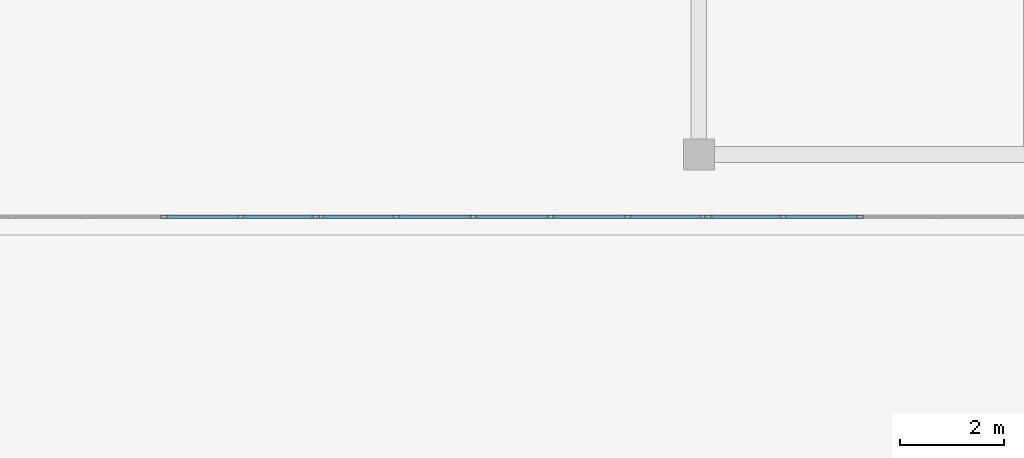
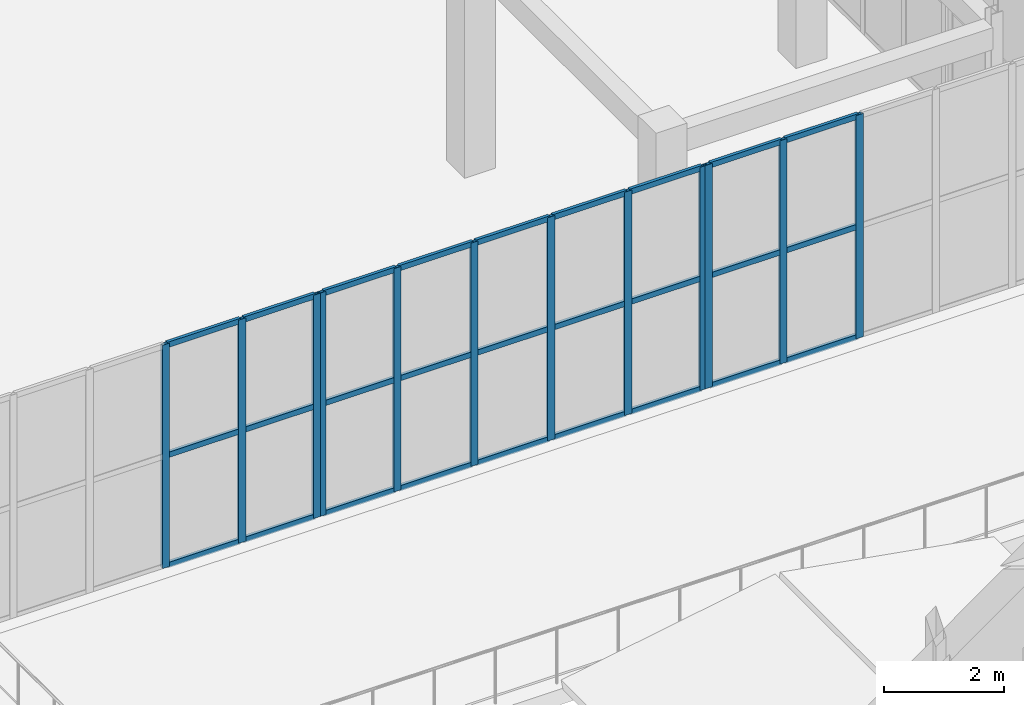
# One storey, part 47 of 158: 39 members, 3 elements without a shape of their own.
"""IFC4 building model written with IfcOpenShell, lengths in metres."""

from ifc_helpers import new_model, si_unit, direction, frame, origin, origin_2d, place, context, subcontext, project, spatial, hollow_rectangle, extrude, material, layer, layer_set, material_profile, profile_set, type_object, element, aggregate, save


model = new_model("IFC4")

# Units and contexts
model_context = context("Model", 3, precision=1e-05, world=origin(), true_north=direction((0.0, 1.0)))
body_context = subcontext(model_context, "Body", "Model", "MODEL_VIEW")
ifc_project = project(units=[si_unit("LENGTHUNIT", "METRE"), si_unit("AREAUNIT", "SQUARE_METRE"), si_unit("VOLUMEUNIT", "CUBIC_METRE"), si_unit("PLANEANGLEUNIT", "RADIAN"), si_unit("MASSUNIT", "GRAM", prefix="KILO")], contexts=[model_context])

# Site, building, storey
site_placement = place(None, origin())
site = spatial("IfcSite", under=ifc_project, at=site_placement, CompositionType="ELEMENT")
building_placement = place(site_placement, origin())
building = spatial("IfcBuilding", under=site, at=building_placement, Name="Trelvath General Hospital", CompositionType="ELEMENT")
storey_placement = place(building_placement, frame((0.0, 0.0, 8.10009765625)))
storey = spatial("IfcBuildingStorey", under=building, at=storey_placement, Name="L02", CompositionType="ELEMENT", Elevation=8.10009765625)

# Curtain wall, members
ifc_material_1 = material(Name="Anodised aluminium and low-E glass", Category="aluminium")
ifc_layer_1 = layer(ifc_material_1, 0.139892578125)
ifc_layer_set_1 = layer_set([ifc_layer_1], Name="Anodised aluminium and low-E glass")
curtain_wall_type_1 = type_object("IfcCurtainWallType", Name="CW CrystalCube 737 456 14", PredefinedType="USERDEFINED", material=ifc_layer_set_1)
curtain_wall_1_placement = place(storey_placement, origin())
curtain_wall_1 = element("IfcCurtainWall", 1, at=curtain_wall_1_placement, inside=storey, type_object=curtain_wall_type_1, Name="Crystal Cube Curtain Wall CUBE-E-T1 S1 L02", ObjectType="Unitised Glazed Curtain Wall", PredefinedType="USERDEFINED")
ifc_material_2 = material(Name="Anodised aluminium", Category="aluminium")
ifc_material_profile_1 = material_profile(ifc_material_2, hollow_rectangle(XDim=0.06005859375, YDim=0.139892578125, WallThickness=0.00390625, at=origin_2d()), Name="RHS60x140x4")
ifc_profile_set_1 = profile_set([ifc_material_profile_1], Name="Anodised aluminium")
member_type_1 = type_object("IfcMemberType", Name="CurtainMullion 60x140", PredefinedType="MULLION", material=ifc_profile_set_1)
member_1_placement = place(storey_placement, frame((99.816650390625, 37.199951171875, 0.0), z_axis=(0.0, 0.0, 1.0), x_axis=(0.0, -1.0, 0.0)))
member_1 = element("IfcMember", 2, at=member_1_placement, type_object=member_type_1, Name="CW-205 mullion 1", PredefinedType="MULLION", context=body_context, shape_type="SweptSolid", body=[
    extrude(hollow_rectangle(XDim=0.06005859375, YDim=0.139892578125, WallThickness=0.00390625, at=origin_2d()), origin(), (0.0, 0.0, 1.0), 4.559814453125),
])
member_2_placement = place(storey_placement, frame((98.373291015625, 37.199951171875, 0.0), z_axis=(0.0, 0.0, 1.0), x_axis=(0.0, -1.0, 0.0)))
member_2 = element("IfcMember", 3, at=member_2_placement, type_object=member_type_1, Name="CW-205 mullion 2", PredefinedType="MULLION", context=body_context, shape_type="SweptSolid", body=[
    extrude(hollow_rectangle(XDim=0.06005859375, YDim=0.139892578125, WallThickness=0.00390625, at=origin_2d()), origin(), (0.0, 0.0, 1.0), 4.559814453125),
])
member_3_placement = place(storey_placement, frame((96.89990234375, 37.199951171875, 0.0), z_axis=(0.0, 0.0, 1.0), x_axis=(0.0, -1.0, 0.0)))
member_3 = element("IfcMember", 4, at=member_3_placement, type_object=member_type_1, Name="CW-205 mullion 3", PredefinedType="MULLION", context=body_context, shape_type="SweptSolid", body=[
    extrude(hollow_rectangle(XDim=0.06005859375, YDim=0.139892578125, WallThickness=0.00390625, at=origin_2d()), origin(), (0.0, 0.0, 1.0), 4.559814453125),
])

ifc_material_3 = material(Name="Anodised aluminium and low-E glass", Category="aluminium")
ifc_layer_2 = layer(ifc_material_3, 0.139892578125)
ifc_layer_set_2 = layer_set([ifc_layer_2], Name="Anodised aluminium and low-E glass")
curtain_wall_type_2 = type_object("IfcCurtainWallType", Name="CW CrystalCube 743 456 14", PredefinedType="USERDEFINED", material=ifc_layer_set_2)
curtain_wall_2_placement = place(storey_placement, origin())
curtain_wall_2 = element("IfcCurtainWall", 5, at=curtain_wall_2_placement, inside=storey, type_object=curtain_wall_type_2, Name="Crystal Cube Curtain Wall CUBE-E-T1 S2 L02", ObjectType="Unitised Glazed Curtain Wall", PredefinedType="USERDEFINED")
member_4_placement = place(storey_placement, frame((107.283203125, 37.199951171875, 0.0), z_axis=(0.0, 0.0, 1.0), x_axis=(0.0, -1.0, 0.0)))
member_4 = element("IfcMember", 6, at=member_4_placement, type_object=member_type_1, Name="CW-206 mullion 1", PredefinedType="MULLION", context=body_context, shape_type="SweptSolid", body=[
    extrude(hollow_rectangle(XDim=0.06005859375, YDim=0.139892578125, WallThickness=0.00390625, at=origin_2d()), origin(), (0.0, 0.0, 1.0), 4.559814453125),
])
member_5_placement = place(storey_placement, frame((105.827880859375, 37.199951171875, 0.0), z_axis=(0.0, 0.0, 1.0), x_axis=(0.0, -1.0, 0.0)))
member_5 = element("IfcMember", 7, at=member_5_placement, type_object=member_type_1, Name="CW-206 mullion 2", PredefinedType="MULLION", context=body_context, shape_type="SweptSolid", body=[
    extrude(hollow_rectangle(XDim=0.06005859375, YDim=0.139892578125, WallThickness=0.00390625, at=origin_2d()), origin(), (0.0, 0.0, 1.0), 4.559814453125),
])
member_6_placement = place(storey_placement, frame((104.3427734375, 37.199951171875, 0.0), z_axis=(0.0, 0.0, 1.0), x_axis=(0.0, -1.0, 0.0)))
member_6 = element("IfcMember", 8, at=member_6_placement, type_object=member_type_1, Name="CW-206 mullion 3", PredefinedType="MULLION", context=body_context, shape_type="SweptSolid", body=[
    extrude(hollow_rectangle(XDim=0.06005859375, YDim=0.139892578125, WallThickness=0.00390625, at=origin_2d()), origin(), (0.0, 0.0, 1.0), 4.559814453125),
])
member_7_placement = place(storey_placement, frame((102.857421875, 37.199951171875, 0.0), z_axis=(0.0, 0.0, 1.0), x_axis=(0.0, -1.0, 0.0)))
member_7 = element("IfcMember", 9, at=member_7_placement, type_object=member_type_1, Name="CW-206 mullion 4", PredefinedType="MULLION", context=body_context, shape_type="SweptSolid", body=[
    extrude(hollow_rectangle(XDim=0.06005859375, YDim=0.139892578125, WallThickness=0.00390625, at=origin_2d()), origin(), (0.0, 0.0, 1.0), 4.559814453125),
])
member_8_placement = place(storey_placement, frame((101.3720703125, 37.199951171875, 0.0), z_axis=(0.0, 0.0, 1.0), x_axis=(0.0, -1.0, 0.0)))
member_8 = element("IfcMember", 10, at=member_8_placement, type_object=member_type_1, Name="CW-206 mullion 5", PredefinedType="MULLION", context=body_context, shape_type="SweptSolid", body=[
    extrude(hollow_rectangle(XDim=0.06005859375, YDim=0.139892578125, WallThickness=0.00390625, at=origin_2d()), origin(), (0.0, 0.0, 1.0), 4.559814453125),
])
member_9_placement = place(storey_placement, frame((99.916748046875, 37.199951171875, 0.0), z_axis=(0.0, 0.0, 1.0), x_axis=(0.0, -1.0, 0.0)))
member_9 = element("IfcMember", 11, at=member_9_placement, type_object=member_type_1, Name="CW-206 mullion 6", PredefinedType="MULLION", context=body_context, shape_type="SweptSolid", body=[
    extrude(hollow_rectangle(XDim=0.06005859375, YDim=0.139892578125, WallThickness=0.00390625, at=origin_2d()), origin(), (0.0, 0.0, 1.0), 4.559814453125),
])

curtain_wall_3_placement = place(storey_placement, origin())
curtain_wall_3 = element("IfcCurtainWall", 12, at=curtain_wall_3_placement, inside=storey, type_object=curtain_wall_type_1, Name="Crystal Cube Curtain Wall CUBE-E-T1 S3 L02", ObjectType="Unitised Glazed Curtain Wall", PredefinedType="USERDEFINED")
member_10_placement = place(storey_placement, frame((110.300048828125, 37.199951171875, 0.0), z_axis=(0.0, 0.0, 1.0), x_axis=(0.0, -1.0, 0.0)))
member_10 = element("IfcMember", 13, at=member_10_placement, type_object=member_type_1, Name="CW-207 mullion 4", PredefinedType="MULLION", context=body_context, shape_type="SweptSolid", body=[
    extrude(hollow_rectangle(XDim=0.06005859375, YDim=0.139892578125, WallThickness=0.00390625, at=origin_2d()), origin(), (0.0, 0.0, 1.0), 4.559814453125),
])
member_11_placement = place(storey_placement, frame((108.82666015625, 37.199951171875, 0.0), z_axis=(0.0, 0.0, 1.0), x_axis=(0.0, -1.0, 0.0)))
member_11 = element("IfcMember", 14, at=member_11_placement, type_object=member_type_1, Name="CW-207 mullion 5", PredefinedType="MULLION", context=body_context, shape_type="SweptSolid", body=[
    extrude(hollow_rectangle(XDim=0.06005859375, YDim=0.139892578125, WallThickness=0.00390625, at=origin_2d()), origin(), (0.0, 0.0, 1.0), 4.559814453125),
])
member_12_placement = place(storey_placement, frame((107.38330078125, 37.199951171875, 0.0), z_axis=(0.0, 0.0, 1.0), x_axis=(0.0, -1.0, 0.0)))
member_12 = element("IfcMember", 15, at=member_12_placement, type_object=member_type_1, Name="CW-207 mullion 6", PredefinedType="MULLION", context=body_context, shape_type="SweptSolid", body=[
    extrude(hollow_rectangle(XDim=0.06005859375, YDim=0.139892578125, WallThickness=0.00390625, at=origin_2d()), origin(), (0.0, 0.0, 1.0), 4.559814453125),
])

# Member
ifc_material_4 = material(Name="Anodised aluminium", Category="aluminium")
ifc_material_profile_2 = material_profile(ifc_material_4, hollow_rectangle(XDim=0.06005859375, YDim=0.110107421875, WallThickness=0.00390625, at=origin_2d()), Name="RHS60x110x4")
ifc_profile_set_2 = profile_set([ifc_material_profile_2], Name="Anodised aluminium")
member_type_2 = type_object("IfcMemberType", Name="CurtainTransom 60x110", PredefinedType="USERDEFINED", material=ifc_profile_set_2)
member_13_placement = place(storey_placement, frame((99.78662109375, 37.199951171875, 0.02978515625), z_axis=(-1.0, 0.0, 0.0), x_axis=(0.0, -1.0, 0.0)))
member_13 = element("IfcMember", 16, at=member_13_placement, type_object=member_type_2, Name="CW-205 transom 1.1", ObjectType="TRANSOM", PredefinedType="USERDEFINED", context=body_context, shape_type="SweptSolid", body=[
    extrude(hollow_rectangle(XDim=0.06005859375, YDim=0.110107421875, WallThickness=0.00390625, at=origin_2d()), origin(), (0.0, 0.0, 1.0), 1.38330078125),
])

member_14_placement = place(storey_placement, frame((99.78662109375, 37.199951171875, 2.27978515625), z_axis=(-1.0, 0.0, 0.0), x_axis=(0.0, -1.0, 0.0)))
member_14 = element("IfcMember", 17, at=member_14_placement, type_object=member_type_2, Name="CW-205 transom 1.2", ObjectType="TRANSOM", PredefinedType="USERDEFINED", context=body_context, shape_type="SweptSolid", body=[
    extrude(hollow_rectangle(XDim=0.06005859375, YDim=0.110107421875, WallThickness=0.00390625, at=origin_2d()), origin(), (0.0, 0.0, 1.0), 1.38330078125),
])

member_15_placement = place(storey_placement, frame((99.78662109375, 37.199951171875, 4.52978515625), z_axis=(-1.0, 0.0, 0.0), x_axis=(0.0, -1.0, 0.0)))
member_15 = element("IfcMember", 18, at=member_15_placement, type_object=member_type_2, Name="CW-205 transom 1.3", ObjectType="TRANSOM", PredefinedType="USERDEFINED", context=body_context, shape_type="SweptSolid", body=[
    extrude(hollow_rectangle(XDim=0.06005859375, YDim=0.110107421875, WallThickness=0.00390625, at=origin_2d()), origin(), (0.0, 0.0, 1.0), 1.38330078125),
])

member_16_placement = place(storey_placement, frame((98.34326171875, 37.199951171875, 0.02978515625), z_axis=(-1.0, 0.0, 0.0), x_axis=(0.0, -1.0, 0.0)))
member_16 = element("IfcMember", 19, at=member_16_placement, type_object=member_type_2, Name="CW-205 transom 2.1", ObjectType="TRANSOM", PredefinedType="USERDEFINED", context=body_context, shape_type="SweptSolid", body=[
    extrude(hollow_rectangle(XDim=0.06005859375, YDim=0.110107421875, WallThickness=0.00390625, at=origin_2d()), origin(), (0.0, 0.0, 1.0), 1.413330078125),
])

member_17_placement = place(storey_placement, frame((98.34326171875, 37.199951171875, 2.27978515625), z_axis=(-1.0, 0.0, 0.0), x_axis=(0.0, -1.0, 0.0)))
member_17 = element("IfcMember", 20, at=member_17_placement, type_object=member_type_2, Name="CW-205 transom 2.2", ObjectType="TRANSOM", PredefinedType="USERDEFINED", context=body_context, shape_type="SweptSolid", body=[
    extrude(hollow_rectangle(XDim=0.06005859375, YDim=0.110107421875, WallThickness=0.00390625, at=origin_2d()), origin(), (0.0, 0.0, 1.0), 1.413330078125),
])

member_18_placement = place(storey_placement, frame((98.34326171875, 37.199951171875, 4.52978515625), z_axis=(-1.0, 0.0, 0.0), x_axis=(0.0, -1.0, 0.0)))
member_18 = element("IfcMember", 21, at=member_18_placement, type_object=member_type_2, Name="CW-205 transom 2.3", ObjectType="TRANSOM", PredefinedType="USERDEFINED", context=body_context, shape_type="SweptSolid", body=[
    extrude(hollow_rectangle(XDim=0.06005859375, YDim=0.110107421875, WallThickness=0.00390625, at=origin_2d()), origin(), (0.0, 0.0, 1.0), 1.413330078125),
])

aggregate(curtain_wall_1, [member_1, member_2, member_3, member_13, member_14, member_15, member_16, member_17, member_18])

member_19_placement = place(storey_placement, frame((107.25341796875, 37.199951171875, 0.02978515625), z_axis=(-1.0, 0.0, 0.0), x_axis=(0.0, -1.0, 0.0)))
member_19 = element("IfcMember", 22, at=member_19_placement, type_object=member_type_2, Name="CW-206 transom 1.1", ObjectType="TRANSOM", PredefinedType="USERDEFINED", context=body_context, shape_type="SweptSolid", body=[
    extrude(hollow_rectangle(XDim=0.06005859375, YDim=0.110107421875, WallThickness=0.00390625, at=origin_2d()), origin(), (0.0, 0.0, 1.0), 1.3955078125),
])

member_20_placement = place(storey_placement, frame((107.25341796875, 37.199951171875, 2.27978515625), z_axis=(-1.0, 0.0, 0.0), x_axis=(0.0, -1.0, 0.0)))
member_20 = element("IfcMember", 23, at=member_20_placement, type_object=member_type_2, Name="CW-206 transom 1.2", ObjectType="TRANSOM", PredefinedType="USERDEFINED", context=body_context, shape_type="SweptSolid", body=[
    extrude(hollow_rectangle(XDim=0.06005859375, YDim=0.110107421875, WallThickness=0.00390625, at=origin_2d()), origin(), (0.0, 0.0, 1.0), 1.3955078125),
])

member_21_placement = place(storey_placement, frame((107.25341796875, 37.199951171875, 4.52978515625), z_axis=(-1.0, 0.0, 0.0), x_axis=(0.0, -1.0, 0.0)))
member_21 = element("IfcMember", 24, at=member_21_placement, type_object=member_type_2, Name="CW-206 transom 1.3", ObjectType="TRANSOM", PredefinedType="USERDEFINED", context=body_context, shape_type="SweptSolid", body=[
    extrude(hollow_rectangle(XDim=0.06005859375, YDim=0.110107421875, WallThickness=0.00390625, at=origin_2d()), origin(), (0.0, 0.0, 1.0), 1.3955078125),
])

member_22_placement = place(storey_placement, frame((105.798095703125, 37.199951171875, 0.02978515625), z_axis=(-1.0, 0.0, 0.0), x_axis=(0.0, -1.0, 0.0)))
member_22 = element("IfcMember", 25, at=member_22_placement, type_object=member_type_2, Name="CW-206 transom 2.1", ObjectType="TRANSOM", PredefinedType="USERDEFINED", context=body_context, shape_type="SweptSolid", body=[
    extrude(hollow_rectangle(XDim=0.06005859375, YDim=0.110107421875, WallThickness=0.00390625, at=origin_2d()), origin(), (0.0, 0.0, 1.0), 1.425537109375),
])

member_23_placement = place(storey_placement, frame((105.798095703125, 37.199951171875, 2.27978515625), z_axis=(-1.0, 0.0, 0.0), x_axis=(0.0, -1.0, 0.0)))
member_23 = element("IfcMember", 26, at=member_23_placement, type_object=member_type_2, Name="CW-206 transom 2.2", ObjectType="TRANSOM", PredefinedType="USERDEFINED", context=body_context, shape_type="SweptSolid", body=[
    extrude(hollow_rectangle(XDim=0.06005859375, YDim=0.110107421875, WallThickness=0.00390625, at=origin_2d()), origin(), (0.0, 0.0, 1.0), 1.425537109375),
])

member_24_placement = place(storey_placement, frame((105.798095703125, 37.199951171875, 4.52978515625), z_axis=(-1.0, 0.0, 0.0), x_axis=(0.0, -1.0, 0.0)))
member_24 = element("IfcMember", 27, at=member_24_placement, type_object=member_type_2, Name="CW-206 transom 2.3", ObjectType="TRANSOM", PredefinedType="USERDEFINED", context=body_context, shape_type="SweptSolid", body=[
    extrude(hollow_rectangle(XDim=0.06005859375, YDim=0.110107421875, WallThickness=0.00390625, at=origin_2d()), origin(), (0.0, 0.0, 1.0), 1.425537109375),
])

member_25_placement = place(storey_placement, frame((104.312744140625, 37.199951171875, 0.02978515625), z_axis=(-1.0, 0.0, 0.0), x_axis=(0.0, -1.0, 0.0)))
member_25 = element("IfcMember", 28, at=member_25_placement, type_object=member_type_2, Name="CW-206 transom 3.1", ObjectType="TRANSOM", PredefinedType="USERDEFINED", context=body_context, shape_type="SweptSolid", body=[
    extrude(hollow_rectangle(XDim=0.06005859375, YDim=0.110107421875, WallThickness=0.00390625, at=origin_2d()), origin(), (0.0, 0.0, 1.0), 1.42529296875),
])

member_26_placement = place(storey_placement, frame((104.312744140625, 37.199951171875, 2.27978515625), z_axis=(-1.0, 0.0, 0.0), x_axis=(0.0, -1.0, 0.0)))
member_26 = element("IfcMember", 29, at=member_26_placement, type_object=member_type_2, Name="CW-206 transom 3.2", ObjectType="TRANSOM", PredefinedType="USERDEFINED", context=body_context, shape_type="SweptSolid", body=[
    extrude(hollow_rectangle(XDim=0.06005859375, YDim=0.110107421875, WallThickness=0.00390625, at=origin_2d()), origin(), (0.0, 0.0, 1.0), 1.42529296875),
])

member_27_placement = place(storey_placement, frame((104.312744140625, 37.199951171875, 4.52978515625), z_axis=(-1.0, 0.0, 0.0), x_axis=(0.0, -1.0, 0.0)))
member_27 = element("IfcMember", 30, at=member_27_placement, type_object=member_type_2, Name="CW-206 transom 3.3", ObjectType="TRANSOM", PredefinedType="USERDEFINED", context=body_context, shape_type="SweptSolid", body=[
    extrude(hollow_rectangle(XDim=0.06005859375, YDim=0.110107421875, WallThickness=0.00390625, at=origin_2d()), origin(), (0.0, 0.0, 1.0), 1.42529296875),
])

member_28_placement = place(storey_placement, frame((102.827392578125, 37.199951171875, 0.02978515625), z_axis=(-1.0, 0.0, 0.0), x_axis=(0.0, -1.0, 0.0)))
member_28 = element("IfcMember", 31, at=member_28_placement, type_object=member_type_2, Name="CW-206 transom 4.1", ObjectType="TRANSOM", PredefinedType="USERDEFINED", context=body_context, shape_type="SweptSolid", body=[
    extrude(hollow_rectangle(XDim=0.06005859375, YDim=0.110107421875, WallThickness=0.00390625, at=origin_2d()), origin(), (0.0, 0.0, 1.0), 1.42529296875),
])

member_29_placement = place(storey_placement, frame((102.827392578125, 37.199951171875, 2.27978515625), z_axis=(-1.0, 0.0, 0.0), x_axis=(0.0, -1.0, 0.0)))
member_29 = element("IfcMember", 32, at=member_29_placement, type_object=member_type_2, Name="CW-206 transom 4.2", ObjectType="TRANSOM", PredefinedType="USERDEFINED", context=body_context, shape_type="SweptSolid", body=[
    extrude(hollow_rectangle(XDim=0.06005859375, YDim=0.110107421875, WallThickness=0.00390625, at=origin_2d()), origin(), (0.0, 0.0, 1.0), 1.42529296875),
])

member_30_placement = place(storey_placement, frame((102.827392578125, 37.199951171875, 4.52978515625), z_axis=(-1.0, 0.0, 0.0), x_axis=(0.0, -1.0, 0.0)))
member_30 = element("IfcMember", 33, at=member_30_placement, type_object=member_type_2, Name="CW-206 transom 4.3", ObjectType="TRANSOM", PredefinedType="USERDEFINED", context=body_context, shape_type="SweptSolid", body=[
    extrude(hollow_rectangle(XDim=0.06005859375, YDim=0.110107421875, WallThickness=0.00390625, at=origin_2d()), origin(), (0.0, 0.0, 1.0), 1.42529296875),
])

member_31_placement = place(storey_placement, frame((101.342041015625, 37.199951171875, 0.02978515625), z_axis=(-1.0, 0.0, 0.0), x_axis=(0.0, -1.0, 0.0)))
member_31 = element("IfcMember", 34, at=member_31_placement, type_object=member_type_2, Name="CW-206 transom 5.1", ObjectType="TRANSOM", PredefinedType="USERDEFINED", context=body_context, shape_type="SweptSolid", body=[
    extrude(hollow_rectangle(XDim=0.06005859375, YDim=0.110107421875, WallThickness=0.00390625, at=origin_2d()), origin(), (0.0, 0.0, 1.0), 1.395263671875),
])

member_32_placement = place(storey_placement, frame((101.342041015625, 37.199951171875, 2.27978515625), z_axis=(-1.0, 0.0, 0.0), x_axis=(0.0, -1.0, 0.0)))
member_32 = element("IfcMember", 35, at=member_32_placement, type_object=member_type_2, Name="CW-206 transom 5.2", ObjectType="TRANSOM", PredefinedType="USERDEFINED", context=body_context, shape_type="SweptSolid", body=[
    extrude(hollow_rectangle(XDim=0.06005859375, YDim=0.110107421875, WallThickness=0.00390625, at=origin_2d()), origin(), (0.0, 0.0, 1.0), 1.395263671875),
])

member_33_placement = place(storey_placement, frame((101.342041015625, 37.199951171875, 4.52978515625), z_axis=(-1.0, 0.0, 0.0), x_axis=(0.0, -1.0, 0.0)))
member_33 = element("IfcMember", 36, at=member_33_placement, type_object=member_type_2, Name="CW-206 transom 5.3", ObjectType="TRANSOM", PredefinedType="USERDEFINED", context=body_context, shape_type="SweptSolid", body=[
    extrude(hollow_rectangle(XDim=0.06005859375, YDim=0.110107421875, WallThickness=0.00390625, at=origin_2d()), origin(), (0.0, 0.0, 1.0), 1.395263671875),
])

aggregate(curtain_wall_2, [member_4, member_5, member_6, member_7, member_8, member_9, member_19, member_20, member_21, member_22, member_23, member_24, member_25, member_26, member_27, member_28, member_29, member_30, member_31, member_32, member_33])

member_34_placement = place(storey_placement, frame((110.27001953125, 37.199951171875, 0.02978515625), z_axis=(-1.0, 0.0, 0.0), x_axis=(0.0, -1.0, 0.0)))
member_34 = element("IfcMember", 37, at=member_34_placement, type_object=member_type_2, Name="CW-207 transom 4.1", ObjectType="TRANSOM", PredefinedType="USERDEFINED", context=body_context, shape_type="SweptSolid", body=[
    extrude(hollow_rectangle(XDim=0.06005859375, YDim=0.110107421875, WallThickness=0.00390625, at=origin_2d()), origin(), (0.0, 0.0, 1.0), 1.413330078125),
])

member_35_placement = place(storey_placement, frame((110.27001953125, 37.199951171875, 2.27978515625), z_axis=(-1.0, 0.0, 0.0), x_axis=(0.0, -1.0, 0.0)))
member_35 = element("IfcMember", 38, at=member_35_placement, type_object=member_type_2, Name="CW-207 transom 4.2", ObjectType="TRANSOM", PredefinedType="USERDEFINED", context=body_context, shape_type="SweptSolid", body=[
    extrude(hollow_rectangle(XDim=0.06005859375, YDim=0.110107421875, WallThickness=0.00390625, at=origin_2d()), origin(), (0.0, 0.0, 1.0), 1.413330078125),
])

member_36_placement = place(storey_placement, frame((110.27001953125, 37.199951171875, 4.52978515625), z_axis=(-1.0, 0.0, 0.0), x_axis=(0.0, -1.0, 0.0)))
member_36 = element("IfcMember", 39, at=member_36_placement, type_object=member_type_2, Name="CW-207 transom 4.3", ObjectType="TRANSOM", PredefinedType="USERDEFINED", context=body_context, shape_type="SweptSolid", body=[
    extrude(hollow_rectangle(XDim=0.06005859375, YDim=0.110107421875, WallThickness=0.00390625, at=origin_2d()), origin(), (0.0, 0.0, 1.0), 1.413330078125),
])

member_37_placement = place(storey_placement, frame((108.796630859375, 37.199951171875, 0.02978515625), z_axis=(-1.0, 0.0, 0.0), x_axis=(0.0, -1.0, 0.0)))
member_37 = element("IfcMember", 40, at=member_37_placement, type_object=member_type_2, Name="CW-207 transom 5.1", ObjectType="TRANSOM", PredefinedType="USERDEFINED", context=body_context, shape_type="SweptSolid", body=[
    extrude(hollow_rectangle(XDim=0.06005859375, YDim=0.110107421875, WallThickness=0.00390625, at=origin_2d()), origin(), (0.0, 0.0, 1.0), 1.38330078125),
])

member_38_placement = place(storey_placement, frame((108.796630859375, 37.199951171875, 2.27978515625), z_axis=(-1.0, 0.0, 0.0), x_axis=(0.0, -1.0, 0.0)))
member_38 = element("IfcMember", 41, at=member_38_placement, type_object=member_type_2, Name="CW-207 transom 5.2", ObjectType="TRANSOM", PredefinedType="USERDEFINED", context=body_context, shape_type="SweptSolid", body=[
    extrude(hollow_rectangle(XDim=0.06005859375, YDim=0.110107421875, WallThickness=0.00390625, at=origin_2d()), origin(), (0.0, 0.0, 1.0), 1.38330078125),
])

member_39_placement = place(storey_placement, frame((108.796630859375, 37.199951171875, 4.52978515625), z_axis=(-1.0, 0.0, 0.0), x_axis=(0.0, -1.0, 0.0)))
member_39 = element("IfcMember", 42, at=member_39_placement, type_object=member_type_2, Name="CW-207 transom 5.3", ObjectType="TRANSOM", PredefinedType="USERDEFINED", context=body_context, shape_type="SweptSolid", body=[
    extrude(hollow_rectangle(XDim=0.06005859375, YDim=0.110107421875, WallThickness=0.00390625, at=origin_2d()), origin(), (0.0, 0.0, 1.0), 1.38330078125),
])

aggregate(curtain_wall_3, [member_10, member_11, member_12, member_34, member_35, member_36, member_37, member_38, member_39])

save(model, "model.ifc")
